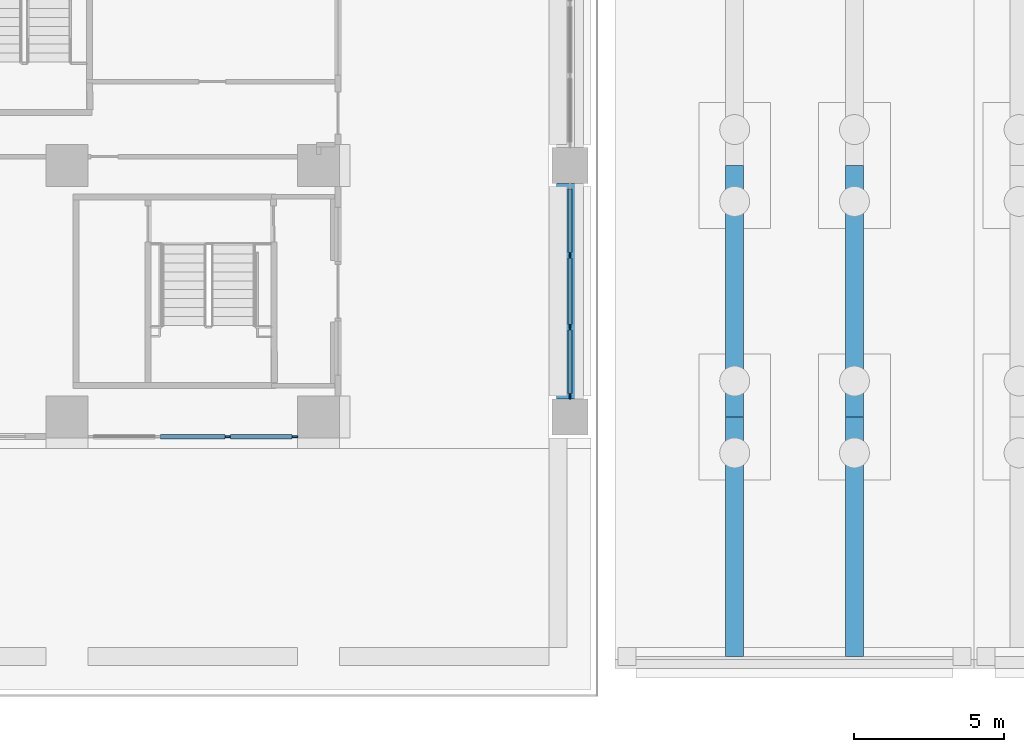
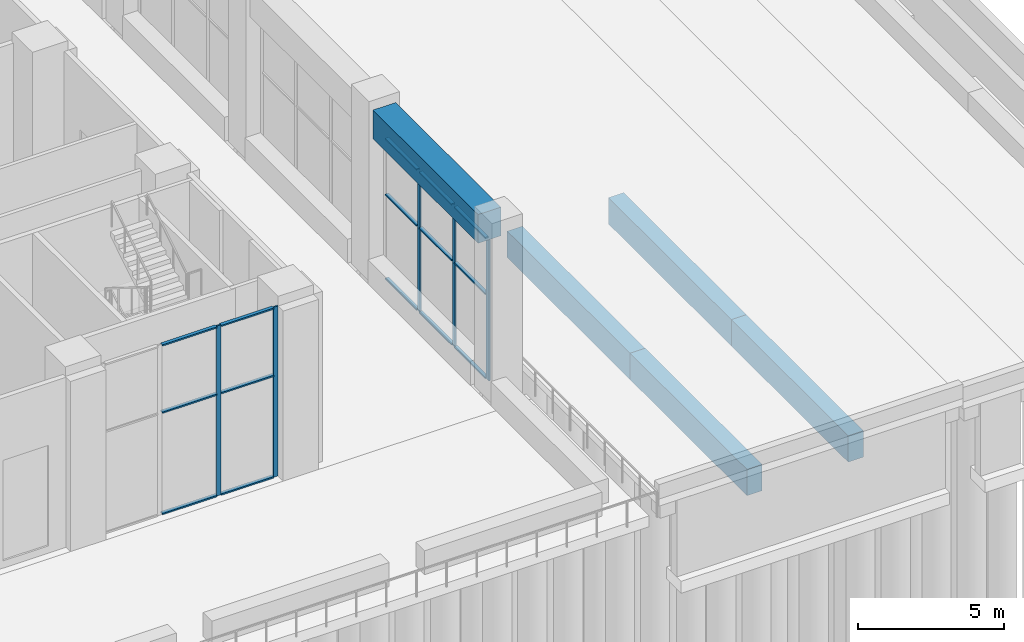
# One storey, part 8 of 53: 20 members, 5 beams, 2 elements without a shape of their own.
"""IFC4 building model written with IfcOpenShell, lengths in metres."""

from ifc_helpers import new_model, si_unit, direction, frame, origin, origin_2d, place, context, subcontext, project, spatial, rectangle, extrude, material, material_profile, profile_set, type_object, element, aggregate, save


model = new_model("IFC4")

# Units and contexts
model_context = context("Model", 3, precision=1e-05, world=origin(), true_north=direction((0.0, 1.0)))
body_context = subcontext(model_context, "Body", "Model", "MODEL_VIEW")
ifc_project = project(units=[si_unit("LENGTHUNIT", "METRE"), si_unit("AREAUNIT", "SQUARE_METRE"), si_unit("VOLUMEUNIT", "CUBIC_METRE"), si_unit("PLANEANGLEUNIT", "RADIAN"), si_unit("MASSUNIT", "GRAM", prefix="KILO")], contexts=[model_context])

# Site, building, storey
site_placement = place(None, origin())
site = spatial("IfcSite", under=ifc_project, at=site_placement, CompositionType="ELEMENT")
building_placement = place(site_placement, origin())
building = spatial("IfcBuilding", under=site, at=building_placement, Name="Vermilion Ogive Tower", CompositionType="ELEMENT")
storey_placement = place(building_placement, origin())
storey = spatial("IfcBuildingStorey", under=building, at=storey_placement, Name="L00", CompositionType="ELEMENT", Elevation=0.0)

# Beam
ifc_material_1 = material(Name="Concrete B45", Category="concrete")
ifc_material_profile_1 = material_profile(ifc_material_1, rectangle(XDim=0.89990234375, YDim=1.199951171875, at=origin_2d()), Name="RC 900x1200")
ifc_profile_set_1 = profile_set([ifc_material_profile_1], Name="Concrete B45")
beam_type_1 = type_object("IfcBeamType", Name="Arcade edge beam AB1 900x1200", PredefinedType="BEAM", material=ifc_profile_set_1)
beam_1_placement = place(storey_placement, frame((58.800048828125, -28.800048828125, 6.5), z_axis=(0.0, 1.0, 0.0), x_axis=(-1.0, 0.0, 0.0)))
element("IfcBeam", 1, at=beam_1_placement, inside=storey, type_object=beam_type_1, Name="Arcade edge beam L00 01", PredefinedType="BEAM", context=body_context, shape_type="SweptSolid", body=[
    extrude(rectangle(XDim=0.89990234375, YDim=1.199951171875, at=origin_2d()), origin(), (0.0, 0.0, 1.0), 7.199951171875),
])

# Curtain wall, members
ifc_material_2 = material(Name="Clear double glazing in aluminium frame", Category="aluminium")
curtain_wall_type_1 = type_object("IfcCurtainWallType", Name="Curtain wall CW1", PredefinedType="NOTDEFINED", material=ifc_material_2)
curtain_wall_1_placement = place(storey_placement, origin())
curtain_wall_1 = element("IfcCurtainWall", 2, at=curtain_wall_1_placement, inside=storey, type_object=curtain_wall_type_1, Name="CW1 shopfront glazing S10", PredefinedType="NOTDEFINED")
ifc_material_3 = material(Name="Aluminium mullion", Category="aluminium")
ifc_material_profile_2 = material_profile(ifc_material_3, rectangle(XDim=0.06005859375, YDim=0.179931640625, at=origin_2d()), Name="AL 60x180")
ifc_profile_set_2 = profile_set([ifc_material_profile_2], Name="Aluminium mullion")
member_type_1 = type_object("IfcMemberType", Name="CW1 mullion 60x180", PredefinedType="MULLION", material=ifc_profile_set_2)
member_1_placement = place(storey_placement, frame((47.36669921875, -30.06005859375, 0.0), z_axis=(0.0, 0.0, 1.0), x_axis=(0.0, 1.0, 0.0)))
member_1 = element("IfcMember", 3, at=member_1_placement, type_object=member_type_1, Name="CW1-S10 mullion 3", PredefinedType="MULLION", context=body_context, shape_type="SweptSolid", body=[
    extrude(rectangle(XDim=0.06005859375, YDim=0.179931640625, at=origin_2d()), origin(), (0.0, 0.0, 1.0), 7.10009765625),
])
member_2_placement = place(storey_placement, frame((49.610107421875, -30.06005859375, 0.0), z_axis=(0.0, 0.0, 1.0), x_axis=(0.0, 1.0, 0.0)))
member_2 = element("IfcMember", 4, at=member_2_placement, type_object=member_type_1, Name="CW1-S10 mullion 4", PredefinedType="MULLION", context=body_context, shape_type="SweptSolid", body=[
    extrude(rectangle(XDim=0.06005859375, YDim=0.179931640625, at=origin_2d()), origin(), (0.0, 0.0, 1.0), 7.10009765625),
])
ifc_material_4 = material(Name="Aluminium transom", Category="aluminium")
ifc_material_profile_3 = material_profile(ifc_material_4, rectangle(XDim=0.139892578125, YDim=0.06005859375, at=origin_2d()), Name="AL 60x140")
ifc_profile_set_3 = profile_set([ifc_material_profile_3], Name="Aluminium transom")
member_type_2 = type_object("IfcMemberType", Name="CW1 transom 60x140", PredefinedType="USERDEFINED", material=ifc_profile_set_3)
member_3_placement = place(storey_placement, frame((45.123291015625, -30.06005859375, 0.030029296875), z_axis=(1.0, 0.0, 0.0), x_axis=(0.0, 1.0, 0.0)))
member_3 = element("IfcMember", 5, at=member_3_placement, type_object=member_type_2, Name="CW1-S10 transom 2.1", ObjectType="TRANSOM", PredefinedType="USERDEFINED", context=body_context, shape_type="SweptSolid", body=[
    extrude(rectangle(XDim=0.139892578125, YDim=0.06005859375, at=origin_2d()), origin(), (0.0, 0.0, 1.0), 2.1533203125),
])
member_4_placement = place(storey_placement, frame((45.123291015625, -30.06005859375, 4.260009765625), z_axis=(1.0, 0.0, 0.0), x_axis=(0.0, 1.0, 0.0)))
member_4 = element("IfcMember", 6, at=member_4_placement, type_object=member_type_2, Name="CW1-S10 transom 2.2", ObjectType="TRANSOM", PredefinedType="USERDEFINED", context=body_context, shape_type="SweptSolid", body=[
    extrude(rectangle(XDim=0.139892578125, YDim=0.06005859375, at=origin_2d()), origin(), (0.0, 0.0, 1.0), 2.1533203125),
])
member_5_placement = place(storey_placement, frame((45.123291015625, -30.06005859375, 7.070068359375), z_axis=(1.0, 0.0, 0.0), x_axis=(0.0, 1.0, 0.0)))
member_5 = element("IfcMember", 7, at=member_5_placement, type_object=member_type_2, Name="CW1-S10 transom 2.3", ObjectType="TRANSOM", PredefinedType="USERDEFINED", context=body_context, shape_type="SweptSolid", body=[
    extrude(rectangle(XDim=0.139892578125, YDim=0.06005859375, at=origin_2d()), origin(), (0.0, 0.0, 1.0), 2.1533203125),
])
member_6_placement = place(storey_placement, frame((47.456787109375, -30.06005859375, 0.030029296875), z_axis=(1.0, 0.0, 0.0), x_axis=(0.0, 1.0, 0.0)))
member_6 = element("IfcMember", 8, at=member_6_placement, type_object=member_type_2, Name="CW1-S10 transom 3.1", ObjectType="TRANSOM", PredefinedType="USERDEFINED", context=body_context, shape_type="SweptSolid", body=[
    extrude(rectangle(XDim=0.139892578125, YDim=0.06005859375, at=origin_2d()), origin(), (0.0, 0.0, 1.0), 2.063232421875),
])
member_7_placement = place(storey_placement, frame((47.456787109375, -30.06005859375, 4.260009765625), z_axis=(1.0, 0.0, 0.0), x_axis=(0.0, 1.0, 0.0)))
member_7 = element("IfcMember", 9, at=member_7_placement, type_object=member_type_2, Name="CW1-S10 transom 3.2", ObjectType="TRANSOM", PredefinedType="USERDEFINED", context=body_context, shape_type="SweptSolid", body=[
    extrude(rectangle(XDim=0.139892578125, YDim=0.06005859375, at=origin_2d()), origin(), (0.0, 0.0, 1.0), 2.063232421875),
])
member_8_placement = place(storey_placement, frame((47.456787109375, -30.06005859375, 7.070068359375), z_axis=(1.0, 0.0, 0.0), x_axis=(0.0, 1.0, 0.0)))
member_8 = element("IfcMember", 10, at=member_8_placement, type_object=member_type_2, Name="CW1-S10 transom 3.3", ObjectType="TRANSOM", PredefinedType="USERDEFINED", context=body_context, shape_type="SweptSolid", body=[
    extrude(rectangle(XDim=0.139892578125, YDim=0.06005859375, at=origin_2d()), origin(), (0.0, 0.0, 1.0), 2.063232421875),
])
aggregate(curtain_wall_1, [member_1, member_2, member_3, member_4, member_5, member_6, member_7, member_8])

ifc_material_5 = material(Name="Clear double glazing in aluminium frame", Category="aluminium")
curtain_wall_type_2 = type_object("IfcCurtainWallType", Name="Curtain wall CW2", PredefinedType="NOTDEFINED", material=ifc_material_5)
curtain_wall_2_placement = place(storey_placement, origin())
curtain_wall_2 = element("IfcCurtainWall", 11, at=curtain_wall_2_placement, inside=storey, type_object=curtain_wall_type_2, Name="CW2 arcade glazing L00 1", PredefinedType="NOTDEFINED")
ifc_material_6 = material(Name="Aluminium mullion", Category="aluminium")
ifc_material_profile_4 = material_profile(ifc_material_6, rectangle(XDim=0.06005859375, YDim=0.179931640625, at=origin_2d()), Name="AL 60x180")
ifc_profile_set_4 = profile_set([ifc_material_profile_4], Name="Aluminium mullion")
member_type_3 = type_object("IfcMemberType", Name="CW2 mullion 60x180", PredefinedType="MULLION", material=ifc_profile_set_4)
member_9_placement = place(storey_placement, frame((58.800048828125, -28.7099609375, 0.0), z_axis=(0.0, 0.0, 1.0), x_axis=(-1.0, 0.0, 0.0)))
member_9 = element("IfcMember", 12, at=member_9_placement, type_object=member_type_3, Name="CW2-001 mullion 1", PredefinedType="MULLION", context=body_context, shape_type="SweptSolid", body=[
    extrude(rectangle(XDim=0.06005859375, YDim=0.179931640625, at=origin_2d()), origin(), (0.0, 0.0, 1.0), 5.89990234375),
])
member_10_placement = place(storey_placement, frame((58.800048828125, -26.39990234375, 0.0), z_axis=(0.0, 0.0, 1.0), x_axis=(-1.0, 0.0, 0.0)))
member_10 = element("IfcMember", 13, at=member_10_placement, type_object=member_type_3, Name="CW2-001 mullion 2", PredefinedType="MULLION", context=body_context, shape_type="SweptSolid", body=[
    extrude(rectangle(XDim=0.06005859375, YDim=0.179931640625, at=origin_2d()), origin(), (0.0, 0.0, 1.0), 5.89990234375),
])
member_11_placement = place(storey_placement, frame((58.800048828125, -24.0, 0.0), z_axis=(0.0, 0.0, 1.0), x_axis=(-1.0, 0.0, 0.0)))
member_11 = element("IfcMember", 14, at=member_11_placement, type_object=member_type_3, Name="CW2-001 mullion 3", PredefinedType="MULLION", context=body_context, shape_type="SweptSolid", body=[
    extrude(rectangle(XDim=0.06005859375, YDim=0.179931640625, at=origin_2d()), origin(), (0.0, 0.0, 1.0), 5.89990234375),
])
ifc_material_7 = material(Name="Aluminium transom", Category="aluminium")
ifc_material_profile_5 = material_profile(ifc_material_7, rectangle(XDim=0.139892578125, YDim=0.06005859375, at=origin_2d()), Name="AL 60x140")
ifc_profile_set_5 = profile_set([ifc_material_profile_5], Name="Aluminium transom")
member_type_4 = type_object("IfcMemberType", Name="CW2 transom 60x140", PredefinedType="USERDEFINED", material=ifc_profile_set_5)
member_12_placement = place(storey_placement, frame((58.800048828125, -28.6201171875, 0.030029296875), z_axis=(0.0, 1.0, 0.0), x_axis=(-1.0, 0.0, 0.0)))
member_12 = element("IfcMember", 15, at=member_12_placement, type_object=member_type_4, Name="CW2-001 transom 1.1", ObjectType="TRANSOM", PredefinedType="USERDEFINED", context=body_context, shape_type="SweptSolid", body=[
    extrude(rectangle(XDim=0.139892578125, YDim=0.06005859375, at=origin_2d()), origin(), (0.0, 0.0, 1.0), 2.130126953125),
])
member_13_placement = place(storey_placement, frame((58.800048828125, -28.6201171875, 3.5400390625), z_axis=(0.0, 1.0, 0.0), x_axis=(-1.0, 0.0, 0.0)))
member_13 = element("IfcMember", 16, at=member_13_placement, type_object=member_type_4, Name="CW2-001 transom 1.2", ObjectType="TRANSOM", PredefinedType="USERDEFINED", context=body_context, shape_type="SweptSolid", body=[
    extrude(rectangle(XDim=0.139892578125, YDim=0.06005859375, at=origin_2d()), origin(), (0.0, 0.0, 1.0), 2.130126953125),
])
member_14_placement = place(storey_placement, frame((58.800048828125, -28.6201171875, 5.8701171875), z_axis=(0.0, 1.0, 0.0), x_axis=(-1.0, 0.0, 0.0)))
member_14 = element("IfcMember", 17, at=member_14_placement, type_object=member_type_4, Name="CW2-001 transom 1.3", ObjectType="TRANSOM", PredefinedType="USERDEFINED", context=body_context, shape_type="SweptSolid", body=[
    extrude(rectangle(XDim=0.139892578125, YDim=0.06005859375, at=origin_2d()), origin(), (0.0, 0.0, 1.0), 2.130126953125),
])
member_15_placement = place(storey_placement, frame((58.800048828125, -26.31005859375, 0.030029296875), z_axis=(0.0, 1.0, 0.0), x_axis=(-1.0, 0.0, 0.0)))
member_15 = element("IfcMember", 18, at=member_15_placement, type_object=member_type_4, Name="CW2-001 transom 2.1", ObjectType="TRANSOM", PredefinedType="USERDEFINED", context=body_context, shape_type="SweptSolid", body=[
    extrude(rectangle(XDim=0.139892578125, YDim=0.06005859375, at=origin_2d()), origin(), (0.0, 0.0, 1.0), 2.219970703125),
])
member_16_placement = place(storey_placement, frame((58.800048828125, -26.31005859375, 3.5400390625), z_axis=(0.0, 1.0, 0.0), x_axis=(-1.0, 0.0, 0.0)))
member_16 = element("IfcMember", 19, at=member_16_placement, type_object=member_type_4, Name="CW2-001 transom 2.2", ObjectType="TRANSOM", PredefinedType="USERDEFINED", context=body_context, shape_type="SweptSolid", body=[
    extrude(rectangle(XDim=0.139892578125, YDim=0.06005859375, at=origin_2d()), origin(), (0.0, 0.0, 1.0), 2.219970703125),
])
member_17_placement = place(storey_placement, frame((58.800048828125, -26.31005859375, 5.8701171875), z_axis=(0.0, 1.0, 0.0), x_axis=(-1.0, 0.0, 0.0)))
member_17 = element("IfcMember", 20, at=member_17_placement, type_object=member_type_4, Name="CW2-001 transom 2.3", ObjectType="TRANSOM", PredefinedType="USERDEFINED", context=body_context, shape_type="SweptSolid", body=[
    extrude(rectangle(XDim=0.139892578125, YDim=0.06005859375, at=origin_2d()), origin(), (0.0, 0.0, 1.0), 2.219970703125),
])
member_18_placement = place(storey_placement, frame((58.800048828125, -23.909912109375, 0.030029296875), z_axis=(0.0, 1.0, 0.0), x_axis=(-1.0, 0.0, 0.0)))
member_18 = element("IfcMember", 21, at=member_18_placement, type_object=member_type_4, Name="CW2-001 transom 3.1", ObjectType="TRANSOM", PredefinedType="USERDEFINED", context=body_context, shape_type="SweptSolid", body=[
    extrude(rectangle(XDim=0.139892578125, YDim=0.06005859375, at=origin_2d()), origin(), (0.0, 0.0, 1.0), 2.1298828125),
])
member_19_placement = place(storey_placement, frame((58.800048828125, -23.909912109375, 3.5400390625), z_axis=(0.0, 1.0, 0.0), x_axis=(-1.0, 0.0, 0.0)))
member_19 = element("IfcMember", 22, at=member_19_placement, type_object=member_type_4, Name="CW2-001 transom 3.2", ObjectType="TRANSOM", PredefinedType="USERDEFINED", context=body_context, shape_type="SweptSolid", body=[
    extrude(rectangle(XDim=0.139892578125, YDim=0.06005859375, at=origin_2d()), origin(), (0.0, 0.0, 1.0), 2.1298828125),
])
member_20_placement = place(storey_placement, frame((58.800048828125, -23.909912109375, 5.8701171875), z_axis=(0.0, 1.0, 0.0), x_axis=(-1.0, 0.0, 0.0)))
member_20 = element("IfcMember", 23, at=member_20_placement, type_object=member_type_4, Name="CW2-001 transom 3.3", ObjectType="TRANSOM", PredefinedType="USERDEFINED", context=body_context, shape_type="SweptSolid", body=[
    extrude(rectangle(XDim=0.139892578125, YDim=0.06005859375, at=origin_2d()), origin(), (0.0, 0.0, 1.0), 2.1298828125),
])
aggregate(curtain_wall_2, [member_9, member_10, member_11, member_12, member_13, member_14, member_15, member_16, member_17, member_18, member_19, member_20])

# Beams
ifc_material_8 = material(Name="Concrete B45", Category="concrete")
ifc_material_profile_6 = material_profile(ifc_material_8, rectangle(XDim=0.60009765625, YDim=1.10009765625, at=origin_2d()), Name="RC 600x1100")
ifc_profile_set_6 = profile_set([ifc_material_profile_6], Name="Concrete B45")
beam_type_2 = type_object("IfcBeamType", Name="Quay wharf beam QB1 600x1100", PredefinedType="BEAM", material=ifc_profile_set_6)
beam_2_placement = place(storey_placement, frame((64.300048828125, -37.39990234375, -0.85009765625), z_axis=(0.0, 1.0, 0.0), x_axis=(-1.0, 0.0, 0.0)))
element("IfcBeam", 24, at=beam_2_placement, inside=storey, type_object=beam_type_2, Name="Quay wharf beam SITE-PROM-L0 1", PredefinedType="BEAM", context=body_context, shape_type="SweptSolid", body=[
    extrude(rectangle(XDim=0.60009765625, YDim=1.10009765625, at=origin_2d()), origin(), (0.0, 0.0, 1.0), 8.0),
])
beam_3_placement = place(storey_placement, frame((64.300048828125, -29.39990234375, -0.85009765625), z_axis=(0.0, 1.0, 0.0), x_axis=(-1.0, 0.0, 0.0)))
element("IfcBeam", 25, at=beam_3_placement, inside=storey, type_object=beam_type_2, Name="Quay wharf beam SITE-PROM-L0 2", PredefinedType="BEAM", context=body_context, shape_type="SweptSolid", body=[
    extrude(rectangle(XDim=0.60009765625, YDim=1.10009765625, at=origin_2d()), origin(), (0.0, 0.0, 1.0), 8.39990234375),
])
beam_4_placement = place(storey_placement, frame((68.300048828125, -37.39990234375, -0.85009765625), z_axis=(0.0, 1.0, 0.0), x_axis=(-1.0, 0.0, 0.0)))
element("IfcBeam", 26, at=beam_4_placement, inside=storey, type_object=beam_type_2, Name="Quay wharf beam SITE-PROM-L1 1", PredefinedType="BEAM", context=body_context, shape_type="SweptSolid", body=[
    extrude(rectangle(XDim=0.60009765625, YDim=1.10009765625, at=origin_2d()), origin(), (0.0, 0.0, 1.0), 8.0),
])
beam_5_placement = place(storey_placement, frame((68.300048828125, -29.39990234375, -0.85009765625), z_axis=(0.0, 1.0, 0.0), x_axis=(-1.0, 0.0, 0.0)))
element("IfcBeam", 27, at=beam_5_placement, inside=storey, type_object=beam_type_2, Name="Quay wharf beam SITE-PROM-L1 2", PredefinedType="BEAM", context=body_context, shape_type="SweptSolid", body=[
    extrude(rectangle(XDim=0.60009765625, YDim=1.10009765625, at=origin_2d()), origin(), (0.0, 0.0, 1.0), 8.39990234375),
])

save(model, "model.ifc")
